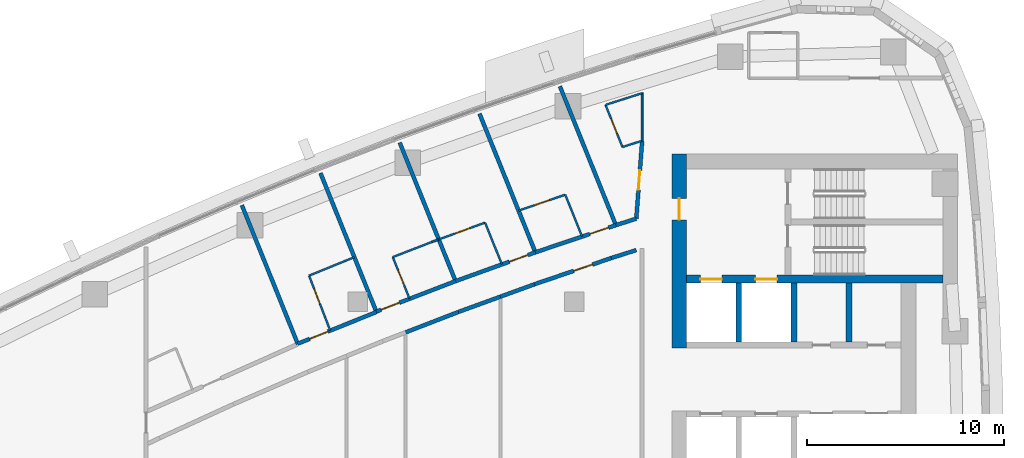
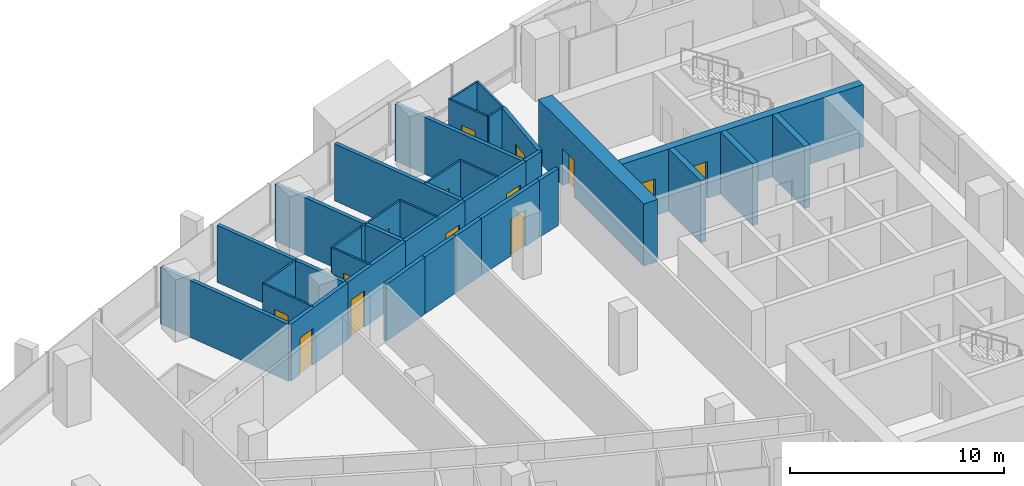
# One storey, part 12 of 17: 34 walls, 14 doors, 14 openings.
"""IFC4 building model written with IfcOpenShell, lengths in metres."""

from ifc_helpers import new_model, si_unit, direction, frame, frame_2d, origin, place, context, subcontext, project, spatial, rectangle, extrude, material, layer, layer_set, type_object, element, fill, save


model = new_model("IFC4")

# Units and contexts
model_context = context("Model", 3, precision=1e-05, world=origin(), true_north=direction((0.0, 1.0)))
body_context = subcontext(model_context, "Body", "Model", "MODEL_VIEW")
ifc_project = project(units=[si_unit("LENGTHUNIT", "METRE"), si_unit("AREAUNIT", "SQUARE_METRE"), si_unit("VOLUMEUNIT", "CUBIC_METRE"), si_unit("PLANEANGLEUNIT", "RADIAN"), si_unit("MASSUNIT", "GRAM", prefix="KILO")], contexts=[model_context])

# Site, building, storey
site_placement = place(None, origin())
site = spatial("IfcSite", under=ifc_project, at=site_placement, CompositionType="ELEMENT")
building_placement = place(site_placement, origin())
building = spatial("IfcBuilding", under=site, at=building_placement, Name="Ostrand Prow Hotel Tower", CompositionType="ELEMENT")
storey_placement = place(building_placement, frame((0.0, 0.0, 203.89990234375)))
storey = spatial("IfcBuildingStorey", under=building, at=storey_placement, Name="L51", CompositionType="ELEMENT", Elevation=203.89990234375)

# Walls
ifc_material_1 = material(Name="Concrete C60/75", Category="concrete")
ifc_layer_1 = layer(ifc_material_1, 0.300048828125)
ifc_layer_set_1 = layer_set([ifc_layer_1], Name="Concrete C60/75")
wall_type_1 = type_object("IfcWallType", Name="Core wall 300 C60/75", PredefinedType="SHEAR", material=ifc_layer_set_1)
for number, where, z_axis, x_axis, name in (
    (1, (53.35009765625, 6.949951171875, 0.0), (0.0, 0.0, 1.0), (0.0, 1.0, 0.0), "Core wall PW-R1-NA"),
    (2, (56.14990234375, 6.949951171875, 0.0), (0.0, 0.0, 1.0), (0.0, 1.0, 0.0), "Core wall PW-R2-NA"),
    (3, (58.949951171875, 6.949951171875, 0.0), (0.0, 0.0, 1.0), (0.0, 1.0, 0.0), "Core wall PW-R3-NA"),
):
    element("IfcWall", number, at=place(storey_placement, frame(where, z_axis=z_axis, x_axis=x_axis)), inside=storey, type_object=wall_type_1, Name=name, PredefinedType="SHEAR", context=body_context, shape_type="SweptSolid", body=[
        extrude(rectangle(XDim=3.0, YDim=0.300048828125, at=frame_2d((1.5, 0.0))), origin(), (0.0, 0.0, 1.0), 3.550048828125),
    ])

# Wall, openings, doors
ifc_material_2 = material(Name="Concrete C60/75", Category="concrete")
ifc_layer_2 = layer(ifc_material_2, 0.39990234375)
ifc_layer_set_2 = layer_set([ifc_layer_2], Name="Concrete C60/75")
wall_type_2 = type_object("IfcWallType", Name="Core wall 400 C60/75", PredefinedType="SHEAR", material=ifc_layer_set_2)
wall_1_placement = place(storey_placement, frame((50.699951171875, 10.14990234375, 0.0), z_axis=(0.0, 0.0, 1.0), x_axis=(1.0, 0.0, 0.0)))
wall_1 = element("IfcWall", 4, at=wall_1_placement, inside=storey, type_object=wall_type_2, Name="Core wall PW-BN", PredefinedType="SHEAR", context=body_context, shape_type="SweptSolid", body=[
    extrude(rectangle(XDim=13.02001953125, YDim=0.39990234375, at=frame_2d((6.510009765625, 0.0))), origin(), (0.0, 0.0, 1.0), 3.550048828125),
])
opening_1_placement = place(wall_1_placement, frame((0.699951171875, 0.0, 0.0)))
opening_1 = element("IfcOpeningElement", 5, at=opening_1_placement, cuts=wall_1, Name="Opening LD", PredefinedType="OPENING", context=body_context, shape_type="SweptSolid", body=[
    extrude(rectangle(XDim=1.10009765625, YDim=2.10009765625, at=frame_2d((0.550048828125, 1.050048828125))), frame((0.0, 0.2099609375, 0.0), z_axis=(0.0, -1.0, 0.0), x_axis=(1.0, 0.0, 0.0)), (0.0, 0.0, 1.0), 0.419921875),
])
opening_2_placement = place(wall_1_placement, frame((3.5, 0.0, 0.0)))
opening_2 = element("IfcOpeningElement", 6, at=opening_2_placement, cuts=wall_1, Name="Opening LD", PredefinedType="OPENING", context=body_context, shape_type="SweptSolid", body=[
    extrude(rectangle(XDim=1.10009765625, YDim=2.10009765625, at=frame_2d((0.550048828125, 1.050048828125))), frame((0.0, 0.2099609375, 0.0), z_axis=(0.0, -1.0, 0.0), x_axis=(1.0, 0.0, 0.0)), (0.0, 0.0, 1.0), 0.419921875),
])
ifc_material_3 = material(Name="Stainless steel door", Category="steel")
door_type_1 = type_object("IfcDoorType", Name="Lift landing door 1100", OperationType="DOUBLE_DOOR_SLIDING", PredefinedType="DOOR", material=ifc_material_3)
door_1_placement = place(opening_1_placement, origin())
door_1 = element("IfcDoor", 7, at=door_1_placement, inside=storey, type_object=door_type_1, Name="LIFT LANDING DOOR", OperationType="DOUBLE_DOOR_SLIDING", OverallHeight=2.10009765625, OverallWidth=1.10009765625, PredefinedType="DOOR", context=body_context, shape_type="SweptSolid", body=[
    extrude(rectangle(XDim=1.10009765625, YDim=2.10009765625, at=frame_2d((0.550048828125, 1.050048828125))), frame((0.0, 0.02490234375, 0.0), z_axis=(0.0, -1.0, 0.0), x_axis=(1.0, 0.0, 0.0)), (0.0, 0.0, 1.0), 0.050048828125),
])
fill(opening_1, door_1)
door_2_placement = place(opening_2_placement, origin())
door_2 = element("IfcDoor", 8, at=door_2_placement, inside=storey, type_object=door_type_1, Name="LIFT LANDING DOOR", OperationType="DOUBLE_DOOR_SLIDING", OverallHeight=2.10009765625, OverallWidth=1.10009765625, PredefinedType="DOOR", context=body_context, shape_type="SweptSolid", body=[
    extrude(rectangle(XDim=1.10009765625, YDim=2.10009765625, at=frame_2d((0.550048828125, 1.050048828125))), frame((0.0, 0.02490234375, 0.0), z_axis=(0.0, -1.0, 0.0), x_axis=(1.0, 0.0, 0.0)), (0.0, 0.0, 1.0), 0.050048828125),
])
fill(opening_2, door_2)

# Wall, opening, door
ifc_material_4 = material(Name="Concrete C60/75", Category="concrete")
ifc_layer_3 = layer(ifc_material_4, 0.75)
ifc_layer_set_3 = layer_set([ifc_layer_3], Name="Concrete C60/75")
wall_type_3 = type_object("IfcWallType", Name="Core wall 750 C60/75", PredefinedType="SHEAR", material=ifc_layer_set_3)
wall_2_placement = place(storey_placement, frame((50.324951171875, 6.64990234375, 0.0), z_axis=(0.0, 0.0, 1.0), x_axis=(0.0, 1.0, 0.0)))
wall_2 = element("IfcWall", 9, at=wall_2_placement, inside=storey, type_object=wall_type_3, Name="Core wall CW-W-N", PredefinedType="SHEAR", context=body_context, shape_type="SweptSolid", body=[
    extrude(rectangle(XDim=9.85009765625, YDim=0.75, at=frame_2d((4.925048828125, 0.0))), origin(), (0.0, 0.0, 1.0), 3.550048828125),
])
opening_3_placement = place(wall_2_placement, frame((6.5, 0.0, 0.0)))
opening_3 = element("IfcOpeningElement", 10, at=opening_3_placement, cuts=wall_2, Name="Opening FD1", PredefinedType="OPENING", context=body_context, shape_type="SweptSolid", body=[
    extrude(rectangle(XDim=1.10009765625, YDim=2.10009765625, at=frame_2d((0.550048828125, 1.050048828125))), frame((0.0, 0.385009765625, 0.0), z_axis=(0.0, -1.0, 0.0), x_axis=(1.0, 0.0, 0.0)), (0.0, 0.0, 1.0), 0.77001953125),
])
ifc_material_5 = material(Name="Steel fire door", Category="steel")
door_type_2 = type_object("IfcDoorType", Name="Fire door 1100 EI120", OperationType="SINGLE_SWING_RIGHT", PredefinedType="DOOR", material=ifc_material_5)
door_3_placement = place(opening_3_placement, origin())
door_3 = element("IfcDoor", 11, at=door_3_placement, inside=storey, type_object=door_type_2, Name="FIRE DOOR", OperationType="SINGLE_SWING_RIGHT", OverallHeight=2.10009765625, OverallWidth=1.10009765625, PredefinedType="DOOR", context=body_context, shape_type="SweptSolid", body=[
    extrude(rectangle(XDim=1.10009765625, YDim=2.10009765625, at=frame_2d((0.550048828125, 1.050048828125))), frame((0.0, 0.02490234375, 0.0), z_axis=(0.0, -1.0, 0.0), x_axis=(1.0, 0.0, 0.0)), (0.0, 0.0, 1.0), 0.050048828125),
])
fill(opening_3, door_3)

ifc_material_6 = material(Name="Plasterboard partition")
ifc_layer_4 = layer(ifc_material_6, 0.10009765625)
ifc_layer_set_4 = layer_set([ifc_layer_4], Name="Plasterboard partition")
wall_type_4 = type_object("IfcWallType", Name="Partition 100 bathroom wall", PredefinedType="PARTITIONING", material=ifc_layer_set_4)
wall_3_placement = place(storey_placement, frame((32.60546875, 7.542236328125, 0.0), z_axis=(0.0, 0.0, 1.0), x_axis=(-0.359637744424, 0.933092006603, 0.0)))
wall_3 = element("IfcWall", 12, at=wall_3_placement, inside=storey, type_object=wall_type_4, Name="BATHROOM WALL", PredefinedType="PARTITIONING", context=body_context, shape_type="SweptSolid", body=[
    extrude(rectangle(XDim=2.980224609375, YDim=0.10009765625, at=frame_2d((1.490234375, 0.0))), origin(), (0.0, 0.0, 1.0), 3.25),
])
opening_4_placement = place(wall_3_placement, frame((1.449951171875, 0.0, 0.0)))
opening_4 = element("IfcOpeningElement", 13, at=opening_4_placement, cuts=wall_3, Name="Opening D2", PredefinedType="OPENING", context=body_context, shape_type="SweptSolid", body=[
    extrude(rectangle(XDim=0.800048828125, YDim=2.10009765625, at=frame_2d((0.39990234375, 1.050048828125))), frame((0.0, 0.06005859375, 0.0), z_axis=(0.0, -1.0, 0.0), x_axis=(1.0, 0.0, 0.0)), (0.0, 0.0, 1.0), 0.1201171875),
])
ifc_material_7 = material(Name="Timber door leaf", Category="wood")
door_type_3 = type_object("IfcDoorType", Name="Bathroom door 800", OperationType="SINGLE_SWING_LEFT", PredefinedType="DOOR", material=ifc_material_7)
door_4_placement = place(opening_4_placement, origin())
door_4 = element("IfcDoor", 14, at=door_4_placement, inside=storey, type_object=door_type_3, Name="DOOR", OperationType="SINGLE_SWING_LEFT", OverallHeight=2.10009765625, OverallWidth=0.800048828125, PredefinedType="DOOR", context=body_context, shape_type="SweptSolid", body=[
    extrude(rectangle(XDim=0.800048828125, YDim=2.10009765625, at=frame_2d((0.39990234375, 1.050048828125))), frame((0.0, 0.02490234375, 0.0), z_axis=(0.0, -1.0, 0.0), x_axis=(1.0, 0.0, 0.0)), (0.0, 0.0, 1.0), 0.050048828125),
])
fill(opening_4, door_4)

# Walls
wall_4_placement = place(storey_placement, frame((31.53369140625, 10.322998046875, 0.0), z_axis=(0.0, 0.0, 1.0), x_axis=(0.925906573805, 0.377752586469, 0.0)))
element("IfcWall", 15, at=wall_4_placement, inside=storey, type_object=wall_type_4, Name="BATHROOM WALL", PredefinedType="PARTITIONING", context=body_context, shape_type="SweptSolid", body=[
    extrude(rectangle(XDim=2.484375, YDim=0.10009765625, at=frame_2d((1.2421875, 0.0))), origin(), (0.0, 0.0, 1.0), 3.25),
])
wall_5_placement = place(storey_placement, frame((35.784912109375, 11.265625, 0.0), z_axis=(0.0, 0.0, 1.0), x_axis=(0.932673396793, 0.360721963448, 0.0)))
element("IfcWall", 16, at=wall_5_placement, inside=storey, type_object=wall_type_4, Name="BATHROOM WALL", PredefinedType="PARTITIONING", context=body_context, shape_type="SweptSolid", body=[
    extrude(rectangle(XDim=2.139404296875, YDim=0.10009765625, at=frame_2d((1.06982421875, 0.0))), origin(), (0.0, 0.0, 1.0), 3.25),
])
wall_6_placement = place(storey_placement, frame((37.7802734375, 12.037353515625, 0.0), z_axis=(0.0, 0.0, 1.0), x_axis=(0.939595761479, 0.34228614493, 0.0)))
element("IfcWall", 17, at=wall_6_placement, inside=storey, type_object=wall_type_4, Name="BATHROOM WALL", PredefinedType="PARTITIONING", context=body_context, shape_type="SweptSolid", body=[
    extrude(rectangle(XDim=0.36083984375, YDim=0.10009765625, at=frame_2d((0.180419921875, 0.0))), origin(), (0.0, 0.0, 1.0), 3.25),
])

# Wall, opening, door
wall_7_placement = place(storey_placement, frame((36.63623046875, 9.153564453125, 0.0), z_axis=(0.0, 0.0, 1.0), x_axis=(-0.373885031976, 0.927475057813, 0.0)))
wall_7 = element("IfcWall", 18, at=wall_7_placement, inside=storey, type_object=wall_type_4, Name="BATHROOM WALL", PredefinedType="PARTITIONING", context=body_context, shape_type="SweptSolid", body=[
    extrude(rectangle(XDim=2.27685546875, YDim=0.10009765625, at=frame_2d((1.138427734375, 0.0))), origin(), (0.0, 0.0, 1.0), 3.25),
])
opening_5_placement = place(wall_7_placement, frame((0.75, 0.0, 0.0)))
opening_5 = element("IfcOpeningElement", 19, at=opening_5_placement, cuts=wall_7, Name="Opening D2", PredefinedType="OPENING", context=body_context, shape_type="SweptSolid", body=[
    extrude(rectangle(XDim=0.800048828125, YDim=2.10009765625, at=frame_2d((0.39990234375, 1.050048828125))), frame((0.0, 0.06005859375, 0.0), z_axis=(0.0, -1.0, 0.0), x_axis=(1.0, 0.0, 0.0)), (0.0, 0.0, 1.0), 0.1201171875),
])
door_5_placement = place(opening_5_placement, origin())
door_5 = element("IfcDoor", 20, at=door_5_placement, inside=storey, type_object=door_type_3, Name="DOOR", OperationType="SINGLE_SWING_LEFT", OverallHeight=2.10009765625, OverallWidth=0.800048828125, PredefinedType="DOOR", context=body_context, shape_type="SweptSolid", body=[
    extrude(rectangle(XDim=0.800048828125, YDim=2.10009765625, at=frame_2d((0.39990234375, 1.050048828125))), frame((0.0, 0.02490234375, 0.0), z_axis=(0.0, -1.0, 0.0), x_axis=(1.0, 0.0, 0.0)), (0.0, 0.0, 1.0), 0.050048828125),
])
fill(opening_5, door_5)

wall_8_placement = place(storey_placement, frame((38.119384765625, 12.160888671875, 0.0), z_axis=(0.0, 0.0, 1.0), x_axis=(0.939744972593, 0.341876273652, 0.0)))
wall_8 = element("IfcWall", 21, at=wall_8_placement, inside=storey, type_object=wall_type_4, Name="BATHROOM WALL", PredefinedType="PARTITIONING", context=body_context, shape_type="SweptSolid", body=[
    extrude(rectangle(XDim=2.50146484375, YDim=0.10009765625, at=frame_2d((1.250732421875, 0.0))), origin(), (0.0, 0.0, 1.0), 3.25),
])
opening_6_placement = place(wall_8_placement, frame((0.85009765625, 0.0, 0.0)))
opening_6 = element("IfcOpeningElement", 22, at=opening_6_placement, cuts=wall_8, Name="Opening D2", PredefinedType="OPENING", context=body_context, shape_type="SweptSolid", body=[
    extrude(rectangle(XDim=0.800048828125, YDim=2.10009765625, at=frame_2d((0.39990234375, 1.050048828125))), frame((0.0, 0.06005859375, 0.0), z_axis=(0.0, -1.0, 0.0), x_axis=(1.0, 0.0, 0.0)), (0.0, 0.0, 1.0), 0.1201171875),
])
door_6_placement = place(opening_6_placement, origin())
door_6 = element("IfcDoor", 23, at=door_6_placement, inside=storey, type_object=door_type_3, Name="DOOR", OperationType="SINGLE_SWING_LEFT", OverallHeight=2.10009765625, OverallWidth=0.800048828125, PredefinedType="DOOR", context=body_context, shape_type="SweptSolid", body=[
    extrude(rectangle(XDim=0.800048828125, YDim=2.10009765625, at=frame_2d((0.39990234375, 1.050048828125))), frame((0.0, 0.02490234375, 0.0), z_axis=(0.0, -1.0, 0.0), x_axis=(1.0, 0.0, 0.0)), (0.0, 0.0, 1.0), 0.050048828125),
])
fill(opening_6, door_6)

# Wall
wall_9_placement = place(storey_placement, frame((40.47021484375, 13.01611328125, 0.0), z_axis=(0.0, 0.0, 1.0), x_axis=(0.373846436826, -0.927490615409, 0.0)))
element("IfcWall", 24, at=wall_9_placement, inside=storey, type_object=wall_type_4, Name="BATHROOM WALL", PredefinedType="PARTITIONING", context=body_context, shape_type="SweptSolid", body=[
    extrude(rectangle(XDim=2.278564453125, YDim=0.10009765625, at=frame_2d((1.13916015625, 0.0))), origin(), (0.0, 0.0, 1.0), 3.25),
])

# Wall, opening, door
wall_10_placement = place(storey_placement, frame((42.17236328125, 13.625, 0.0), z_axis=(0.0, 0.0, 1.0), x_axis=(0.946406575113, 0.322977699822, 0.0)))
wall_10 = element("IfcWall", 25, at=wall_10_placement, inside=storey, type_object=wall_type_4, Name="BATHROOM WALL", PredefinedType="PARTITIONING", context=body_context, shape_type="SweptSolid", body=[
    extrude(rectangle(XDim=2.503662109375, YDim=0.10009765625, at=frame_2d((1.251953125, 0.0))), origin(), (0.0, 0.0, 1.0), 3.25),
])
opening_7_placement = place(wall_10_placement, frame((0.85009765625, 0.0, 0.0)))
opening_7 = element("IfcOpeningElement", 26, at=opening_7_placement, cuts=wall_10, Name="Opening D2", PredefinedType="OPENING", context=body_context, shape_type="SweptSolid", body=[
    extrude(rectangle(XDim=0.800048828125, YDim=2.10009765625, at=frame_2d((0.39990234375, 1.050048828125))), frame((0.0, 0.06005859375, 0.0), z_axis=(0.0, -1.0, 0.0), x_axis=(1.0, 0.0, 0.0)), (0.0, 0.0, 1.0), 0.1201171875),
])
door_7_placement = place(opening_7_placement, origin())
door_7 = element("IfcDoor", 27, at=door_7_placement, inside=storey, type_object=door_type_3, Name="DOOR", OperationType="SINGLE_SWING_LEFT", OverallHeight=2.10009765625, OverallWidth=0.800048828125, PredefinedType="DOOR", context=body_context, shape_type="SweptSolid", body=[
    extrude(rectangle(XDim=0.800048828125, YDim=2.10009765625, at=frame_2d((0.39990234375, 1.050048828125))), frame((0.0, 0.02490234375, 0.0), z_axis=(0.0, -1.0, 0.0), x_axis=(1.0, 0.0, 0.0)), (0.0, 0.0, 1.0), 0.050048828125),
])
fill(opening_7, door_7)

# Walls
wall_11_placement = place(storey_placement, frame((44.541748046875, 14.43359375, 0.0), z_axis=(0.0, 0.0, 1.0), x_axis=(0.373917841166, -0.927461831052, 0.0)))
element("IfcWall", 28, at=wall_11_placement, inside=storey, type_object=wall_type_4, Name="BATHROOM WALL", PredefinedType="PARTITIONING", context=body_context, shape_type="SweptSolid", body=[
    extrude(rectangle(XDim=2.28076171875, YDim=0.10009765625, at=frame_2d((1.140380859375, 0.0))), origin(), (0.0, 0.0, 1.0), 3.25),
])
wall_12_placement = place(storey_placement, frame((46.586181640625, 18.994384765625, 0.0), z_axis=(0.0, 0.0, 1.0), x_axis=(0.952696570315, 0.303923090451, 0.0)))
element("IfcWall", 29, at=wall_12_placement, inside=storey, type_object=wall_type_4, Name="BATHROOM WALL", PredefinedType="PARTITIONING", context=body_context, shape_type="SweptSolid", body=[
    extrude(rectangle(XDim=1.9326171875, YDim=0.10009765625, at=frame_2d((0.96630859375, 0.0))), origin(), (0.0, 0.0, 1.0), 3.25),
])
wall_13_placement = place(storey_placement, frame((48.426513671875, 17.167236328125, 0.0), z_axis=(0.0, 0.0, 1.0), x_axis=(-0.952763220029, -0.303714086864, 0.0)))
element("IfcWall", 30, at=wall_13_placement, inside=storey, type_object=wall_type_4, Name="BATHROOM WALL", PredefinedType="PARTITIONING", context=body_context, shape_type="SweptSolid", body=[
    extrude(rectangle(XDim=1.026611328125, YDim=0.10009765625, at=frame_2d((0.51318359375, 0.0))), origin(), (0.0, 0.0, 1.0), 3.25),
])

# Wall, opening, door
wall_14_placement = place(storey_placement, frame((47.4482421875, 16.85546875, 0.0), z_axis=(0.0, 0.0, 1.0), x_axis=(-0.373817051068, 0.927502459474, 0.0)))
wall_14 = element("IfcWall", 31, at=wall_14_placement, inside=storey, type_object=wall_type_4, Name="BATHROOM WALL", PredefinedType="PARTITIONING", context=body_context, shape_type="SweptSolid", body=[
    extrude(rectangle(XDim=2.30615234375, YDim=0.10009765625, at=frame_2d((1.153076171875, 0.0))), origin(), (0.0, 0.0, 1.0), 3.25),
])
opening_8_placement = place(wall_14_placement, frame((0.75, 0.0, 0.0)))
opening_8 = element("IfcOpeningElement", 32, at=opening_8_placement, cuts=wall_14, Name="Opening D2", PredefinedType="OPENING", context=body_context, shape_type="SweptSolid", body=[
    extrude(rectangle(XDim=0.800048828125, YDim=2.10009765625, at=frame_2d((0.39990234375, 1.050048828125))), frame((0.0, 0.06005859375, 0.0), z_axis=(0.0, -1.0, 0.0), x_axis=(1.0, 0.0, 0.0)), (0.0, 0.0, 1.0), 0.1201171875),
])
door_8_placement = place(opening_8_placement, origin())
door_8 = element("IfcDoor", 33, at=door_8_placement, inside=storey, type_object=door_type_3, Name="DOOR", OperationType="SINGLE_SWING_LEFT", OverallHeight=2.10009765625, OverallWidth=0.800048828125, PredefinedType="DOOR", context=body_context, shape_type="SweptSolid", body=[
    extrude(rectangle(XDim=0.800048828125, YDim=2.10009765625, at=frame_2d((0.39990234375, 1.050048828125))), frame((0.0, 0.02490234375, 0.0), z_axis=(0.0, -1.0, 0.0), x_axis=(1.0, 0.0, 0.0)), (0.0, 0.0, 1.0), 0.050048828125),
])
fill(opening_8, door_8)

# Wall
wall_15_placement = place(storey_placement, frame((48.445068359375, 19.603271484375, 0.0), z_axis=(0.0, 0.0, 1.0), x_axis=(0.0, -1.0, 0.0)))
element("IfcWall", 34, at=wall_15_placement, inside=storey, type_object=wall_type_4, Name="BATHROOM WALL", PredefinedType="PARTITIONING", context=body_context, shape_type="SweptSolid", body=[
    extrude(rectangle(XDim=2.458740234375, YDim=0.10009765625, at=frame_2d((1.2294921875, 0.0))), origin(), (0.0, 0.0, 1.0), 3.25),
])

# Wall, opening, door
ifc_material_8 = material(Name="Plasterboard partition")
ifc_layer_5 = layer(ifc_material_8, 0.199951171875)
ifc_layer_set_5 = layer_set([ifc_layer_5], Name="Plasterboard partition")
wall_type_5 = type_object("IfcWallType", Name="Partition 200 corridor wall", PredefinedType="PARTITIONING", material=ifc_layer_set_5)
wall_16_placement = place(storey_placement, frame((30.9580078125, 6.8662109375, 0.0), z_axis=(0.0, 0.0, 1.0), x_axis=(0.927398695046, 0.374074404933, 0.0)))
wall_16 = element("IfcWall", 35, at=wall_16_placement, inside=storey, type_object=wall_type_5, Name="CORRIDOR WALL", PredefinedType="PARTITIONING", context=body_context, shape_type="SweptSolid", body=[
    extrude(rectangle(XDim=4.310791015625, YDim=0.199951171875, at=frame_2d((2.1552734375, 0.0))), origin(), (0.0, 0.0, 1.0), 3.25),
])
opening_9_placement = place(wall_16_placement, frame((0.64990234375, 0.0, 0.0)))
opening_9 = element("IfcOpeningElement", 36, at=opening_9_placement, cuts=wall_16, Name="Opening D1R", PredefinedType="OPENING", context=body_context, shape_type="SweptSolid", body=[
    extrude(rectangle(XDim=1.0, YDim=2.10009765625, at=frame_2d((0.5, 1.050048828125))), frame((0.0, 0.10986328125, 0.0), z_axis=(0.0, -1.0, 0.0), x_axis=(1.0, 0.0, 0.0)), (0.0, 0.0, 1.0), 0.219970703125),
])
ifc_material_9 = material(Name="Timber door leaf", Category="wood")
door_type_4 = type_object("IfcDoorType", Name="Guest room door 1000 right", OperationType="SINGLE_SWING_RIGHT", PredefinedType="DOOR", material=ifc_material_9)
door_9_placement = place(opening_9_placement, origin())
door_9 = element("IfcDoor", 37, at=door_9_placement, inside=storey, type_object=door_type_4, Name="DOOR", OperationType="SINGLE_SWING_RIGHT", OverallHeight=2.10009765625, OverallWidth=1.0, PredefinedType="DOOR", context=body_context, shape_type="SweptSolid", body=[
    extrude(rectangle(XDim=1.0, YDim=2.10009765625, at=frame_2d((0.5, 1.050048828125))), frame((0.0, 0.02490234375, 0.0), z_axis=(0.0, -1.0, 0.0), x_axis=(1.0, 0.0, 0.0)), (0.0, 0.0, 1.0), 0.050048828125),
])
fill(opening_9, door_9)

wall_17_placement = place(storey_placement, frame((38.972412109375, 10.044921875, 0.0), z_axis=(0.0, 0.0, 1.0), x_axis=(-0.93335728106, -0.358948723208, 0.0)))
wall_17 = element("IfcWall", 38, at=wall_17_placement, inside=storey, type_object=wall_type_5, Name="CORRIDOR WALL", PredefinedType="PARTITIONING", context=body_context, shape_type="SweptSolid", body=[
    extrude(rectangle(XDim=4.3115234375, YDim=0.199951171875, at=frame_2d((2.15576171875, 0.0))), origin(), (0.0, 0.0, 1.0), 3.25),
])
opening_10_placement = place(wall_17_placement, frame((3.050048828125, 0.0, 0.0)))
opening_10 = element("IfcOpeningElement", 39, at=opening_10_placement, cuts=wall_17, Name="Opening D1R", PredefinedType="OPENING", context=body_context, shape_type="SweptSolid", body=[
    extrude(rectangle(XDim=1.0, YDim=2.10009765625, at=frame_2d((0.5, 1.050048828125))), frame((0.0, 0.10986328125, 0.0), z_axis=(0.0, -1.0, 0.0), x_axis=(1.0, 0.0, 0.0)), (0.0, 0.0, 1.0), 0.219970703125),
])
door_10_placement = place(opening_10_placement, origin())
door_10 = element("IfcDoor", 40, at=door_10_placement, inside=storey, type_object=door_type_4, Name="DOOR", OperationType="SINGLE_SWING_RIGHT", OverallHeight=2.10009765625, OverallWidth=1.0, PredefinedType="DOOR", context=body_context, shape_type="SweptSolid", body=[
    extrude(rectangle(XDim=1.0, YDim=2.10009765625, at=frame_2d((0.5, 1.050048828125))), frame((0.0, 0.02490234375, 0.0), z_axis=(0.0, -1.0, 0.0), x_axis=(1.0, 0.0, 0.0)), (0.0, 0.0, 1.0), 0.050048828125),
])
fill(opening_10, door_10)

wall_18_placement = place(storey_placement, frame((43.02587890625, 11.50732421875, 0.0), z_axis=(0.0, 0.0, 1.0), x_axis=(-0.940653905433, -0.339367397069, 0.0)))
wall_18 = element("IfcWall", 41, at=wall_18_placement, inside=storey, type_object=wall_type_5, Name="CORRIDOR WALL", PredefinedType="PARTITIONING", context=body_context, shape_type="SweptSolid", body=[
    extrude(rectangle(XDim=4.30908203125, YDim=0.199951171875, at=frame_2d((2.154541015625, 0.0))), origin(), (0.0, 0.0, 1.0), 3.25),
])
opening_11_placement = place(wall_18_placement, frame((0.39990234375, 0.0, 0.0)))
opening_11 = element("IfcOpeningElement", 42, at=opening_11_placement, cuts=wall_18, Name="Opening D1R", PredefinedType="OPENING", context=body_context, shape_type="SweptSolid", body=[
    extrude(rectangle(XDim=1.0, YDim=2.10009765625, at=frame_2d((0.5, 1.050048828125))), frame((0.0, 0.10986328125, 0.0), z_axis=(0.0, -1.0, 0.0), x_axis=(1.0, 0.0, 0.0)), (0.0, 0.0, 1.0), 0.219970703125),
])
door_11_placement = place(opening_11_placement, origin())
door_11 = element("IfcDoor", 43, at=door_11_placement, inside=storey, type_object=door_type_4, Name="DOOR", OperationType="SINGLE_SWING_RIGHT", OverallHeight=2.10009765625, OverallWidth=1.0, PredefinedType="DOOR", context=body_context, shape_type="SweptSolid", body=[
    extrude(rectangle(XDim=1.0, YDim=2.10009765625, at=frame_2d((0.5, 1.050048828125))), frame((0.0, 0.02490234375, 0.0), z_axis=(0.0, -1.0, 0.0), x_axis=(1.0, 0.0, 0.0)), (0.0, 0.0, 1.0), 0.050048828125),
])
fill(opening_11, door_11)

wall_19_placement = place(storey_placement, frame((47.11328125, 12.885986328125, 0.0), z_axis=(0.0, 0.0, 1.0), x_axis=(-0.947550995841, -0.319604615549, 0.0)))
wall_19 = element("IfcWall", 44, at=wall_19_placement, inside=storey, type_object=wall_type_5, Name="CORRIDOR WALL", PredefinedType="PARTITIONING", context=body_context, shape_type="SweptSolid", body=[
    extrude(rectangle(XDim=4.313720703125, YDim=0.199951171875, at=frame_2d((2.15673828125, 0.0))), origin(), (0.0, 0.0, 1.0), 3.25),
])
opening_12_placement = place(wall_19_placement, frame((0.39990234375, 0.0, 0.0)))
opening_12 = element("IfcOpeningElement", 45, at=opening_12_placement, cuts=wall_19, Name="Opening D1R", PredefinedType="OPENING", context=body_context, shape_type="SweptSolid", body=[
    extrude(rectangle(XDim=1.0, YDim=2.10009765625, at=frame_2d((0.5, 1.050048828125))), frame((0.0, 0.10986328125, 0.0), z_axis=(0.0, -1.0, 0.0), x_axis=(1.0, 0.0, 0.0)), (0.0, 0.0, 1.0), 0.219970703125),
])
door_12_placement = place(opening_12_placement, origin())
door_12 = element("IfcDoor", 46, at=door_12_placement, inside=storey, type_object=door_type_4, Name="DOOR", OperationType="SINGLE_SWING_RIGHT", OverallHeight=2.10009765625, OverallWidth=1.0, PredefinedType="DOOR", context=body_context, shape_type="SweptSolid", body=[
    extrude(rectangle(XDim=1.0, YDim=2.10009765625, at=frame_2d((0.5, 1.050048828125))), frame((0.0, 0.02490234375, 0.0), z_axis=(0.0, -1.0, 0.0), x_axis=(1.0, 0.0, 0.0)), (0.0, 0.0, 1.0), 0.050048828125),
])
fill(opening_12, door_12)

# Walls
wall_20_placement = place(storey_placement, frame((39.115478515625, 8.4794921875, 0.0), z_axis=(0.0, 0.0, 1.0), x_axis=(0.939746227223, 0.341872824923, 0.0)))
element("IfcWall", 47, at=wall_20_placement, inside=storey, type_object=wall_type_5, Name="CORRIDOR WALL", PredefinedType="PARTITIONING", context=body_context, shape_type="SweptSolid", body=[
    extrude(rectangle(XDim=2.265869140625, YDim=0.199951171875, at=frame_2d((1.1328125, 0.0))), origin(), (0.0, 0.0, 1.0), 3.25),
])
wall_21_placement = place(storey_placement, frame((36.44140625, 7.445068359375, 0.0), z_axis=(0.0, 0.0, 1.0), x_axis=(0.932650373077, 0.36078148733, 0.0)))
element("IfcWall", 48, at=wall_21_placement, inside=storey, type_object=wall_type_5, Name="CORRIDOR WALL", PredefinedType="PARTITIONING", context=body_context, shape_type="SweptSolid", body=[
    extrude(rectangle(XDim=2.8671875, YDim=0.199951171875, at=frame_2d((1.43359375, 0.0))), origin(), (0.0, 0.0, 1.0), 3.25),
])

# Wall, opening, door
wall_22_placement = place(storey_placement, frame((42.984375, 9.88720703125, 0.0), z_axis=(0.0, 0.0, 1.0), x_axis=(0.946436071896, 0.322891253852, 0.0)))
wall_22 = element("IfcWall", 49, at=wall_22_placement, inside=storey, type_object=wall_type_5, Name="CORRIDOR WALL", PredefinedType="PARTITIONING", context=body_context, shape_type="SweptSolid", body=[
    extrude(rectangle(XDim=4.116943359375, YDim=0.199951171875, at=frame_2d((2.05859375, 0.0))), origin(), (0.0, 0.0, 1.0), 3.25),
])
opening_13_placement = place(wall_22_placement, frame((2.10009765625, 0.0, 0.0)))
opening_13 = element("IfcOpeningElement", 50, at=opening_13_placement, cuts=wall_22, Name="Opening D1", PredefinedType="OPENING", context=body_context, shape_type="SweptSolid", body=[
    extrude(rectangle(XDim=1.0, YDim=2.10009765625, at=frame_2d((0.5, 1.050048828125))), frame((0.0, 0.10986328125, 0.0), z_axis=(0.0, -1.0, 0.0), x_axis=(1.0, 0.0, 0.0)), (0.0, 0.0, 1.0), 0.219970703125),
])
ifc_material_10 = material(Name="Timber door leaf", Category="wood")
door_type_5 = type_object("IfcDoorType", Name="Guest room door 1000", OperationType="SINGLE_SWING_LEFT", PredefinedType="DOOR", material=ifc_material_10)
door_13_placement = place(opening_13_placement, origin())
door_13 = element("IfcDoor", 51, at=door_13_placement, inside=storey, type_object=door_type_5, Name="DOOR", OperationType="SINGLE_SWING_LEFT", OverallHeight=2.10009765625, OverallWidth=1.0, PredefinedType="DOOR", context=body_context, shape_type="SweptSolid", body=[
    extrude(rectangle(XDim=1.0, YDim=2.10009765625, at=frame_2d((0.5, 1.050048828125))), frame((0.0, 0.02490234375, 0.0), z_axis=(0.0, -1.0, 0.0), x_axis=(1.0, 0.0, 0.0)), (0.0, 0.0, 1.0), 0.050048828125),
])
fill(opening_13, door_13)

# Walls
wall_23_placement = place(storey_placement, frame((41.244873046875, 9.254150390625, 0.0), z_axis=(0.0, 0.0, 1.0), x_axis=(0.939704824537, 0.341986611933, 0.0)))
element("IfcWall", 52, at=wall_23_placement, inside=storey, type_object=wall_type_5, Name="CORRIDOR WALL", PredefinedType="PARTITIONING", context=body_context, shape_type="SweptSolid", body=[
    extrude(rectangle(XDim=1.85107421875, YDim=0.199951171875, at=frame_2d((0.925537109375, 0.0))), origin(), (0.0, 0.0, 1.0), 3.25),
])
wall_24_placement = place(storey_placement, frame((48.14990234375, 13.216552734375, 0.0), z_axis=(0.0, 0.0, 1.0), x_axis=(-0.952731090451, -0.303814860215, 0.0)))
element("IfcWall", 53, at=wall_24_placement, inside=storey, type_object=wall_type_5, Name="CORRIDOR WALL", PredefinedType="PARTITIONING", context=body_context, shape_type="SweptSolid", body=[
    extrude(rectangle(XDim=1.088134765625, YDim=0.199951171875, at=frame_2d((0.5439453125, 0.0))), origin(), (0.0, 0.0, 1.0), 3.25),
])
wall_25_placement = place(storey_placement, frame((46.880859375, 11.216552734375, 0.0), z_axis=(0.0, 0.0, 1.0), x_axis=(0.952761948983, 0.303718074157, 0.0)))
element("IfcWall", 54, at=wall_25_placement, inside=storey, type_object=wall_type_5, Name="CORRIDOR WALL", PredefinedType="PARTITIONING", context=body_context, shape_type="SweptSolid", body=[
    extrude(rectangle(XDim=1.33203125, YDim=0.199951171875, at=frame_2d((0.666015625, 0.0))), origin(), (0.0, 0.0, 1.0), 3.25),
])

# Wall, opening, door
wall_26_placement = place(storey_placement, frame((48.445068359375, 17.14453125, 0.0), z_axis=(0.0, 0.0, 1.0), x_axis=(-0.074933243819, -0.997188552366, 0.0)))
wall_26 = element("IfcWall", 55, at=wall_26_placement, inside=storey, type_object=wall_type_5, Name="CORRIDOR WALL", PredefinedType="PARTITIONING", context=body_context, shape_type="SweptSolid", body=[
    extrude(rectangle(XDim=3.93896484375, YDim=0.199951171875, at=frame_2d((1.969482421875, 0.0))), origin(), (0.0, 0.0, 1.0), 3.25),
])
opening_14_placement = place(wall_26_placement, frame((1.469970703125, 0.0, 0.0)))
opening_14 = element("IfcOpeningElement", 56, at=opening_14_placement, cuts=wall_26, Name="Opening D1R", PredefinedType="OPENING", context=body_context, shape_type="SweptSolid", body=[
    extrude(rectangle(XDim=1.0, YDim=2.10009765625, at=frame_2d((0.5, 1.050048828125))), frame((0.0, 0.10986328125, 0.0), z_axis=(0.0, -1.0, 0.0), x_axis=(1.0, 0.0, 0.0)), (0.0, 0.0, 1.0), 0.219970703125),
])
door_14_placement = place(opening_14_placement, origin())
door_14 = element("IfcDoor", 57, at=door_14_placement, inside=storey, type_object=door_type_4, Name="DOOR", OperationType="SINGLE_SWING_RIGHT", OverallHeight=2.10009765625, OverallWidth=1.0, PredefinedType="DOOR", context=body_context, shape_type="SweptSolid", body=[
    extrude(rectangle(XDim=1.0, YDim=2.10009765625, at=frame_2d((0.5, 1.050048828125))), frame((0.0, 0.02490234375, 0.0), z_axis=(0.0, -1.0, 0.0), x_axis=(1.0, 0.0, 0.0)), (0.0, 0.0, 1.0), 0.050048828125),
])
fill(opening_14, door_14)

# Walls
ifc_material_11 = material(Name="Plasterboard partition")
ifc_layer_6 = layer(ifc_material_11, 0.199951171875)
ifc_layer_set_6 = layer_set([ifc_layer_6], Name="Plasterboard partition")
wall_type_6 = type_object("IfcWallType", Name="Partition 200 key partition", PredefinedType="PARTITIONING", material=ifc_layer_set_6)
wall_27_placement = place(storey_placement, frame((30.96533203125, 6.84765625, 0.0), z_axis=(0.0, 0.0, 1.0), x_axis=(-0.373876084216, 0.927478664796, 0.0)))
element("IfcWall", 58, at=wall_27_placement, inside=storey, type_object=wall_type_6, Name="KEY PARTITION", PredefinedType="PARTITIONING", context=body_context, shape_type="SweptSolid", body=[
    extrude(rectangle(XDim=7.600341796875, YDim=0.199951171875, at=frame_2d((3.80029296875, 0.0))), origin(), (0.0, 0.0, 1.0), 3.25),
])
wall_28_placement = place(storey_placement, frame((34.955810546875, 8.478759765625, 0.0), z_axis=(0.0, 0.0, 1.0), x_axis=(-0.373881438439, 0.927476506436, 0.0)))
element("IfcWall", 59, at=wall_28_placement, inside=storey, type_object=wall_type_6, Name="KEY PARTITION", PredefinedType="PARTITIONING", context=body_context, shape_type="SweptSolid", body=[
    extrude(rectangle(XDim=7.600830078125, YDim=0.199951171875, at=frame_2d((3.80029296875, 0.0))), origin(), (0.0, 0.0, 1.0), 3.25),
])
wall_29_placement = place(storey_placement, frame((38.979736328125, 10.0263671875, 0.0), z_axis=(0.0, 0.0, 1.0), x_axis=(-0.373863662938, 0.927483671843, 0.0)))
element("IfcWall", 60, at=wall_29_placement, inside=storey, type_object=wall_type_6, Name="KEY PARTITION", PredefinedType="PARTITIONING", context=body_context, shape_type="SweptSolid", body=[
    extrude(rectangle(XDim=7.6044921875, YDim=0.199951171875, at=frame_2d((3.80224609375, 0.0))), origin(), (0.0, 0.0, 1.0), 3.25),
])
wall_30_placement = place(storey_placement, frame((43.033447265625, 11.48876953125, 0.0), z_axis=(0.0, 0.0, 1.0), x_axis=(-0.373877998371, 0.927477893178, 0.0)))
element("IfcWall", 61, at=wall_30_placement, inside=storey, type_object=wall_type_6, Name="KEY PARTITION", PredefinedType="PARTITIONING", context=body_context, shape_type="SweptSolid", body=[
    extrude(rectangle(XDim=7.611328125, YDim=0.199951171875, at=frame_2d((3.8056640625, 0.0))), origin(), (0.0, 0.0, 1.0), 3.25),
])
wall_31_placement = place(storey_placement, frame((47.120849609375, 12.867431640625, 0.0), z_axis=(0.0, 0.0, 1.0), x_axis=(-0.373907892596, 0.92746584188, 0.0)))
element("IfcWall", 62, at=wall_31_placement, inside=storey, type_object=wall_type_6, Name="KEY PARTITION", PredefinedType="PARTITIONING", context=body_context, shape_type="SweptSolid", body=[
    extrude(rectangle(XDim=7.62109375, YDim=0.199951171875, at=frame_2d((3.810546875, 0.0))), origin(), (0.0, 0.0, 1.0), 3.25),
])

save(model, "model.ifc")
